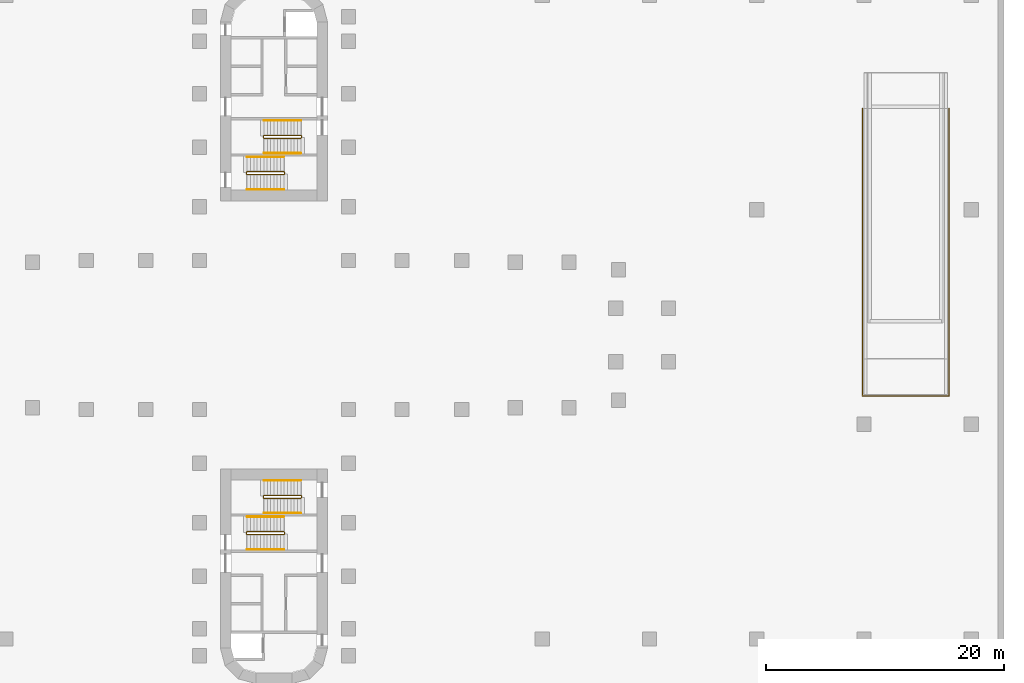
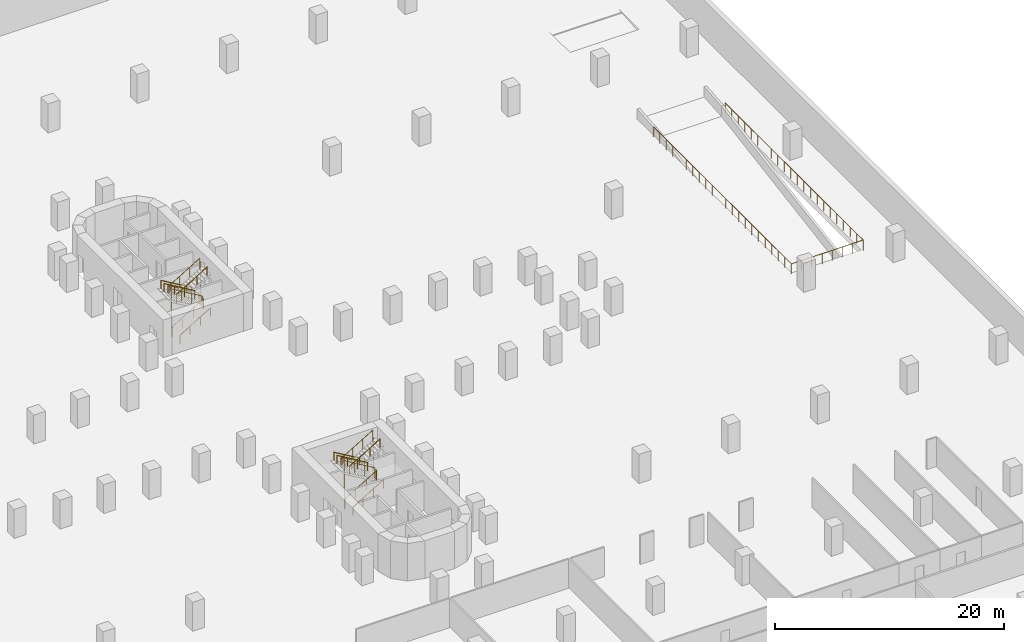
# One storey, part 11 of 11: 13 railings.
"""IFC4 building model written with IfcOpenShell, lengths in metres."""

import ifcopenshell
import ifcopenshell.guid

model = None  # the IFC model being written
_history = None  # IfcOwnerHistory: only IFC2X3 demands one
_inside = {}  # id of a spatial element -> (the spatial element, [elements in it])
_under = {}  # id of a project, library or spatial element -> (it, [spatial elements below it])
_declared = {}  # id of a project -> (the project, [libraries it declares])
_typed = {}  # id of a type object -> (the type object, [elements of that type])
_made_of = {}  # id of a material, layer set ... -> (it, [elements and type objects made of it])


def new_model(schema):
    """Start an empty IFC model of exactly this schema.

    Asked for "IFC4X3", IfcOpenShell would pick the latest addendum, in which some entities
    have other attributes; the version numbers below select the first issue.
    IFC2X3 requires an IfcOwnerHistory on every rooted entity: one is made here for all.
    """
    global model, _history
    if schema == "IFC4X3":
        model = ifcopenshell.file(schema_version=(4, 3, 0, 0))
    else:
        model = ifcopenshell.file(schema=schema)
    _inside.clear()
    _under.clear()
    _declared.clear()
    _typed.clear()
    _made_of.clear()
    _history = None
    if model.schema == "IFC2X3":
        org = make("IfcOrganization", Name="unknown")
        user = make(
            "IfcPersonAndOrganization",
            ThePerson=make("IfcPerson", FamilyName="unknown"),
            TheOrganization=org,
        )
        app = make(
            "IfcApplication",
            ApplicationDeveloper=org,
            Version="unknown",
            ApplicationFullName="unknown",
            ApplicationIdentifier="unknown",
        )
        _history = make(
            "IfcOwnerHistory",
            OwningUser=user,
            OwningApplication=app,
            ChangeAction="ADDED",
            CreationDate=0,
        )
    return model


def make(cls, **values):
    """One entity of the class cls with the attributes given. An attribute that is None is left unset."""
    return model.create_entity(
        cls, **{name: value for name, value in values.items() if value is not None}
    )


def rooted(cls, **values):
    """An entity with a GlobalId (a new one), such as an element, a storey or a relation."""
    return make(cls, GlobalId=ifcopenshell.guid.new(), OwnerHistory=_history, **values)


def si_unit(unit_type, name, prefix=None):
    """IfcSIUnit, for example si_unit("LENGTHUNIT", "METRE", prefix="MILLI")."""
    return make("IfcSIUnit", UnitType=unit_type, Prefix=prefix, Name=name)


def assignment(units):
    """IfcUnitAssignment: the units of a project."""
    return None if units is None else make("IfcUnitAssignment", Units=units)


def point(xyz):
    """IfcCartesianPoint."""
    return None if xyz is None else make("IfcCartesianPoint", Coordinates=xyz)


def direction(xyz):
    """IfcDirection."""
    return None if xyz is None else make("IfcDirection", DirectionRatios=xyz)


def frame(location, z_axis=None, x_axis=None):
    """IfcAxis2Placement3D, a coordinate frame: its origin and axes. An axis left out is left unset."""
    return make(
        "IfcAxis2Placement3D",
        Location=point(location),
        Axis=direction(z_axis),
        RefDirection=direction(x_axis),
    )


def frame_2d(location, x_axis=None):
    """IfcAxis2Placement2D, a coordinate frame in the plane: its origin and x axis."""
    return make(
        "IfcAxis2Placement2D", Location=point(location), RefDirection=direction(x_axis)
    )


def origin():
    """The frame at (0, 0, 0) with its axes left unset."""
    return frame((0.0, 0.0, 0.0))


def origin_2d():
    """The frame at (0, 0) in the plane with its x axis left unset."""
    return frame_2d((0.0, 0.0))


def place(relative_to, where):
    """IfcLocalPlacement: puts the frame where relative to a parent placement (None: the world)."""
    return make(
        "IfcLocalPlacement", PlacementRelTo=relative_to, RelativePlacement=where
    )


def context(
    kind, dimensions, precision=None, world=None, true_north=None, identifier=None
):
    """IfcGeometricRepresentationContext, for example the 3D "Model" context."""
    return make(
        "IfcGeometricRepresentationContext",
        ContextIdentifier=identifier,
        ContextType=kind,
        CoordinateSpaceDimension=dimensions,
        Precision=precision,
        WorldCoordinateSystem=world,
        TrueNorth=true_north,
    )


def subcontext(parent, identifier, kind, view, scale=None):
    """IfcGeometricRepresentationSubContext, for example "Body" below "Model"."""
    return make(
        "IfcGeometricRepresentationSubContext",
        ContextIdentifier=identifier,
        ContextType=kind,
        ParentContext=parent,
        TargetScale=scale,
        TargetView=view,
    )


def project(units=None, contexts=None):
    """IfcProject with its units and contexts."""
    return rooted(
        "IfcProject",
        Name="project",
        RepresentationContexts=contexts,
        UnitsInContext=assignment(units),
    )


def spatial(cls, under=None, at=None, **own):
    """A site, building, storey or space (cls), placed at a placement, below another one or the project."""
    s = rooted(cls, ObjectPlacement=at, **own)
    if under is not None:
        _under.setdefault(under.id(), (under, []))[1].append(s)
    return s


def profile(cls, at=None, kind="AREA", **sizes):
    """A parametric profile (cls). Its sizes go by their IFC names, for example OverallWidth=200.0."""
    return make(cls, ProfileType=kind, Position=at, **sizes)


def circle(**sizes):
    """IfcCircleProfileDef."""
    return profile("IfcCircleProfileDef", **sizes)


def extrude(swept, where, along, depth):
    """IfcExtrudedAreaSolid: the profile swept, set in the frame where, extruded along a direction by depth."""
    return make(
        "IfcExtrudedAreaSolid",
        SweptArea=swept,
        Position=where,
        ExtrudedDirection=direction(along),
        Depth=depth,
    )


def shape(context_of_items, identifier, shape_type, items):
    """IfcShapeRepresentation: the items that make up one representation, for example the "Body"."""
    return make(
        "IfcShapeRepresentation",
        ContextOfItems=context_of_items,
        RepresentationIdentifier=identifier,
        RepresentationType=shape_type,
        Items=items,
    )


def material(Name=None, Category=None):
    """IfcMaterial."""
    return make("IfcMaterial", Name=Name, Category=Category)


def made_of(thing, what):
    """Note that an element or type object is made of a material, layer set ...; save() writes the relation."""
    if what is not None:
        _made_of.setdefault(what.id(), (what, []))[1].append(thing)
    return thing


def type_object(cls, material=None, **own):
    """A type object (cls), such as IfcWallType, which elements share."""
    return made_of(rooted(cls, **own), material)


def element(
    cls,
    number,
    at=None,
    inside=None,
    cuts=None,
    type_object=None,
    material=None,
    context=None,
    identifier="Body",
    shape_type=None,
    held_by="IfcProductDefinitionShape",
    body=None,
    shapes=None,
    **own,
):
    """One element of the class cls, such as IfcWall. Its Tag is "e" and its number.

    at: its placement. inside: the storey or other place that contains it. cuts: it is an
    opening in that element (IfcRelVoidsElement). A single representation is given by context,
    identifier, shape_type and body (its items); several are given by shapes. held_by: the class
    of the entity that holds the representations. save() writes the other relations.
    """
    e = rooted(cls, Tag="e%d" % number, ObjectPlacement=at, **own)
    if body is not None:
        shapes = [shape(context, identifier, shape_type, body)]
    if shapes is not None:
        e.Representation = make(held_by, Representations=shapes)
    if inside is not None:
        _inside.setdefault(inside.id(), (inside, []))[1].append(e)
    if cuts is not None:
        rooted(
            "IfcRelVoidsElement", RelatingBuildingElement=cuts, RelatedOpeningElement=e
        )
    if type_object is not None:
        _typed.setdefault(type_object.id(), (type_object, []))[1].append(e)
    return made_of(e, material)


def aggregate(whole, parts):
    """IfcRelAggregates: a whole, such as a stair, and the parts it consists of."""
    return rooted("IfcRelAggregates", RelatingObject=whole, RelatedObjects=parts)


def save(model, path):
    """Write the relations noted so far, then the file.

    IfcRelAggregates (storeys below a building ...), IfcRelContainedInSpatialStructure (elements
    in a storey), IfcRelDefinesByType, IfcRelAssociatesMaterial and IfcRelDeclares: one each for
    every whole, place, type object, material and project.
    """
    for whole, parts in _under.values():
        aggregate(whole, parts)
    for where, things in _inside.values():
        rooted(
            "IfcRelContainedInSpatialStructure",
            RelatedElements=things,
            RelatingStructure=where,
        )
    for kind, things in _typed.values():
        rooted("IfcRelDefinesByType", RelatedObjects=things, RelatingType=kind)
    for what, things in _made_of.values():
        rooted("IfcRelAssociatesMaterial", RelatedObjects=things, RelatingMaterial=what)
    for by, libraries in _declared.values():
        rooted("IfcRelDeclares", RelatingContext=by, RelatedDefinitions=libraries)
    model.write(path)


model = new_model("IFC4")

# Units and contexts
model_context = context("Model", 3, precision=1e-05, world=origin(), true_north=direction((0.0, 1.0)))
body_context = subcontext(model_context, "Body", "Model", "MODEL_VIEW")
ifc_project = project(units=[si_unit("LENGTHUNIT", "METRE"), si_unit("AREAUNIT", "SQUARE_METRE"), si_unit("VOLUMEUNIT", "CUBIC_METRE"), si_unit("PLANEANGLEUNIT", "RADIAN"), si_unit("MASSUNIT", "GRAM", prefix="KILO")], contexts=[model_context])

# Site, building, storey
site_placement = place(None, origin())
site = spatial("IfcSite", under=ifc_project, at=site_placement, CompositionType="ELEMENT")
building_placement = place(site_placement, origin())
building = spatial("IfcBuilding", under=site, at=building_placement, Name="Zarbagh Exchange Tower", CompositionType="ELEMENT")
storey_placement = place(building_placement, frame((0.0, 0.0, -4.0)))
storey = spatial("IfcBuildingStorey", under=building, at=storey_placement, Name="B1", CompositionType="ELEMENT", Elevation=-4.0)

# Railings
ifc_material_1 = material(Name="Stainless steel", Category="steel")
railing_type_1 = type_object("IfcRailingType", Name="Stair guard 1100 mm", PredefinedType="GUARDRAIL", material=ifc_material_1)
railing_1_placement = place(storey_placement, frame((-0.830078125, 16.5, 2.166748046875)))
element("IfcRailing", 1, at=railing_1_placement, inside=storey, type_object=railing_type_1, Name="ST1 stair guard 1", PredefinedType="GUARDRAIL", context=body_context, shape_type="SweptSolid", body=[
    extrude(circle(Radius=0.02392578125, at=origin_2d()), frame((0.0, 0.0, 1.076171875), z_axis=(0.859308565015, 0.0, 0.511457515432), x_axis=(0.0, 1.0, 0.0)), (0.0, 0.0, 1.0), 3.58447265625),
    extrude(circle(Radius=0.02392578125, at=origin_2d()), frame((3.080078125, 0.0, 2.9091796875), z_axis=(0.012510248638, 0.012510248638, -0.99984348143), x_axis=(-0.707106781187, 0.707106781187, 0.0)), (0.0, 0.0, 1.0), 4.000732421875),
    extrude(circle(Radius=0.02392578125, at=origin_2d()), frame((3.130126953125, 0.050048828125, -1.0908203125), z_axis=(0.0, 1.0, 0.0), x_axis=(-1.0, 0.0, 0.0)), (0.0, 0.0, 1.0), 0.14990234375),
    extrude(circle(Radius=0.02392578125, at=origin_2d()), frame((3.130126953125, 0.199951171875, -1.0908203125), z_axis=(-0.27628659633, 0.27628659633, 0.920506074601), x_axis=(-0.707106781187, -0.707106781187, 0.0)), (0.0, 0.0, 1.0), 0.18115234375),
    extrude(circle(Radius=0.02392578125, at=origin_2d()), frame((3.080078125, 0.25, -0.923828125), z_axis=(-0.859308565015, 0.0, 0.511457515432), x_axis=(0.0, -1.0, 0.0)), (0.0, 0.0, 1.0), 3.58447265625),
    extrude(circle(Radius=0.02392578125, at=origin_2d()), frame((0.0, 0.25, 0.9091796875), z_axis=(-0.705375805398, -0.708833529934, 0.0), x_axis=(0.708833529934, -0.705375805398, 0.0)), (0.0, 0.0, 1.0), 0.070556640625),
    extrude(circle(Radius=0.02392578125, at=origin_2d()), frame((-0.0498046875, 0.199951171875, 0.9091796875), z_axis=(0.0, -1.0, 0.0), x_axis=(1.0, 0.0, 0.0)), (0.0, 0.0, 1.0), 0.14990234375),
    extrude(circle(Radius=0.02099609375, at=origin_2d()), origin(), (0.0, 0.0, 1.0), 1.052001953125),
    extrude(circle(Radius=0.02099609375, at=origin_2d()), frame((1.026611328125, 0.0, 0.611083984375)), (0.0, 0.0, 1.0), 1.052001953125),
    extrude(circle(Radius=0.02099609375, at=origin_2d()), frame((2.053466796875, 0.0, 1.22216796875)), (0.0, 0.0, 1.0), 1.052001953125),
    extrude(circle(Radius=0.02099609375, at=origin_2d()), frame((3.080078125, 0.0, 1.833251953125)), (0.0, 0.0, 1.0), 1.052001953125),
    extrude(circle(Radius=0.02099609375, at=origin_2d()), frame((3.092529296875, 0.012451171875, 0.833251953125)), (0.0, 0.0, 1.0), 1.052001953125),
    extrude(circle(Radius=0.02099609375, at=origin_2d()), frame((3.10498046875, 0.02490234375, -0.166748046875)), (0.0, 0.0, 1.0), 1.052001953125),
    extrude(circle(Radius=0.02099609375, at=origin_2d()), frame((3.11767578125, 0.03759765625, -1.166748046875)), (0.0, 0.0, 1.0), 1.052001953125),
    extrude(circle(Radius=0.02099609375, at=origin_2d()), frame((3.130126953125, 0.050048828125, -2.166748046875)), (0.0, 0.0, 1.0), 1.052001953125),
    extrude(circle(Radius=0.02099609375, at=origin_2d()), frame((3.130126953125, 0.199951171875, -2.166748046875)), (0.0, 0.0, 1.0), 1.052001953125),
    extrude(circle(Radius=0.02099609375, at=origin_2d()), frame((3.080078125, 0.25, -2.0)), (0.0, 0.0, 1.0), 1.052001953125),
    extrude(circle(Radius=0.02099609375, at=origin_2d()), frame((2.053466796875, 0.25, -1.388916015625)), (0.0, 0.0, 1.0), 1.052001953125),
    extrude(circle(Radius=0.02099609375, at=origin_2d()), frame((1.026611328125, 0.25, -0.77783203125)), (0.0, 0.0, 1.0), 1.052001953125),
    extrude(circle(Radius=0.02099609375, at=origin_2d()), frame((0.0, 0.25, -0.166748046875)), (0.0, 0.0, 1.0), 1.052001953125),
    extrude(circle(Radius=0.02099609375, at=origin_2d()), frame((-0.0498046875, 0.199951171875, -0.166748046875)), (0.0, 0.0, 1.0), 1.052001953125),
    extrude(circle(Radius=0.02099609375, at=origin_2d()), frame((-0.0498046875, 0.050048828125, -0.166748046875)), (0.0, 0.0, 1.0), 1.052001953125),
])
railing_2_placement = place(storey_placement, frame((0.8798828125, 13.5, 2.0)))
element("IfcRailing", 2, at=railing_2_placement, inside=storey, type_object=railing_type_1, Name="ST2 stair guard 1", PredefinedType="GUARDRAIL", context=body_context, shape_type="SweptSolid", body=[
    extrude(circle(Radius=0.02392578125, at=origin_2d()), frame((0.0, 0.0, 1.076171875), z_axis=(0.0, 1.0, 0.0), x_axis=(-1.0, 0.0, 0.0)), (0.0, 0.0, 1.0), 0.14990234375),
    extrude(circle(Radius=0.02392578125, at=origin_2d()), frame((0.0, 0.14990234375, 1.076171875), z_axis=(-0.275041040955, 0.276389281352, 0.920848191041), x_axis=(-0.708833529934, -0.705375805398, 0.0)), (0.0, 0.0, 1.0), 0.18115234375),
    extrude(circle(Radius=0.02392578125, at=origin_2d()), frame((-0.0498046875, 0.199951171875, 1.24267578125), z_axis=(-0.859308565015, 0.0, 0.511457515432), x_axis=(0.0, -1.0, 0.0)), (0.0, 0.0, 1.0), 3.58447265625),
    extrude(circle(Radius=0.02392578125, at=origin_2d()), frame((-3.1298828125, 0.199951171875, 3.076171875), z_axis=(-0.012510248638, -0.012510248638, -0.99984348143), x_axis=(0.707106781187, -0.707106781187, 0.0)), (0.0, 0.0, 1.0), 4.000732421875),
    extrude(circle(Radius=0.02392578125, at=origin_2d()), frame((-3.179931640625, 0.14990234375, -0.923828125), z_axis=(0.0, -1.0, 0.0), x_axis=(1.0, 0.0, 0.0)), (0.0, 0.0, 1.0), 0.14990234375),
    extrude(circle(Radius=0.02392578125, at=origin_2d()), frame((-3.179931640625, 0.0, -0.923828125), z_axis=(0.27628659633, -0.27628659633, 0.920506074601), x_axis=(0.707106781187, 0.707106781187, 0.0)), (0.0, 0.0, 1.0), 0.18115234375),
    extrude(circle(Radius=0.02392578125, at=origin_2d()), frame((-3.1298828125, -0.050048828125, -0.75732421875), z_axis=(0.859308565015, 0.0, 0.511457515432), x_axis=(0.0, 1.0, 0.0)), (0.0, 0.0, 1.0), 3.58447265625),
    extrude(circle(Radius=0.02099609375, at=origin_2d()), origin(), (0.0, 0.0, 1.0), 1.052001953125),
    extrude(circle(Radius=0.02099609375, at=origin_2d()), frame((0.0, 0.14990234375, 0.0)), (0.0, 0.0, 1.0), 1.052001953125),
    extrude(circle(Radius=0.02099609375, at=origin_2d()), frame((-0.0498046875, 0.199951171875, 0.166748046875)), (0.0, 0.0, 1.0), 1.052001953125),
    extrude(circle(Radius=0.02099609375, at=origin_2d()), frame((-1.076416015625, 0.199951171875, 0.77783203125)), (0.0, 0.0, 1.0), 1.052001953125),
    extrude(circle(Radius=0.02099609375, at=origin_2d()), frame((-2.103271484375, 0.199951171875, 1.388916015625)), (0.0, 0.0, 1.0), 1.052001953125),
    extrude(circle(Radius=0.02099609375, at=origin_2d()), frame((-3.1298828125, 0.199951171875, 2.0)), (0.0, 0.0, 1.0), 1.052001953125),
    extrude(circle(Radius=0.02099609375, at=origin_2d()), frame((-3.142333984375, 0.1875, 1.0)), (0.0, 0.0, 1.0), 1.052001953125),
    extrude(circle(Radius=0.02099609375, at=origin_2d()), frame((-3.15478515625, 0.1748046875, 0.0)), (0.0, 0.0, 1.0), 1.052001953125),
    extrude(circle(Radius=0.02099609375, at=origin_2d()), frame((-3.16748046875, 0.162353515625, -1.0)), (0.0, 0.0, 1.0), 1.052001953125),
    extrude(circle(Radius=0.02099609375, at=origin_2d()), frame((-3.179931640625, 0.14990234375, -2.0)), (0.0, 0.0, 1.0), 1.052001953125),
    extrude(circle(Radius=0.02099609375, at=origin_2d()), frame((-3.179931640625, 0.0, -2.0)), (0.0, 0.0, 1.0), 1.052001953125),
    extrude(circle(Radius=0.02099609375, at=origin_2d()), frame((-3.1298828125, -0.050048828125, -1.833251953125)), (0.0, 0.0, 1.0), 1.052001953125),
    extrude(circle(Radius=0.02099609375, at=origin_2d()), frame((-2.103271484375, -0.050048828125, -1.22216796875)), (0.0, 0.0, 1.0), 1.052001953125),
    extrude(circle(Radius=0.02099609375, at=origin_2d()), frame((-1.076416015625, -0.050048828125, -0.611083984375)), (0.0, 0.0, 1.0), 1.052001953125),
    extrude(circle(Radius=0.02099609375, at=origin_2d()), frame((-0.0498046875, -0.050048828125, 0.0)), (0.0, 0.0, 1.0), 1.052001953125),
])
railing_3_placement = place(storey_placement, frame((0.830078125, -16.5, 2.166748046875)))
element("IfcRailing", 3, at=railing_3_placement, inside=storey, type_object=railing_type_1, Name="ST3 stair guard 1", PredefinedType="GUARDRAIL", context=body_context, shape_type="SweptSolid", body=[
    extrude(circle(Radius=0.02392578125, at=origin_2d()), frame((0.0, 0.0, 1.076171875), z_axis=(-0.859308565015, 0.0, 0.511457515432), x_axis=(0.0, -1.0, 0.0)), (0.0, 0.0, 1.0), 3.58447265625),
    extrude(circle(Radius=0.02392578125, at=origin_2d()), frame((-3.080078125, 0.0, 2.9091796875), z_axis=(-0.012510248638, -0.012510248638, -0.99984348143), x_axis=(0.707106781187, -0.707106781187, 0.0)), (0.0, 0.0, 1.0), 4.000732421875),
    extrude(circle(Radius=0.02392578125, at=origin_2d()), frame((-3.130126953125, -0.050048828125, -1.0908203125), z_axis=(0.0, -1.0, 0.0), x_axis=(1.0, 0.0, 0.0)), (0.0, 0.0, 1.0), 0.14990234375),
    extrude(circle(Radius=0.02392578125, at=origin_2d()), frame((-3.130126953125, -0.199951171875, -1.0908203125), z_axis=(0.27628659633, -0.27628659633, 0.920506074601), x_axis=(0.707106781187, 0.707106781187, 0.0)), (0.0, 0.0, 1.0), 0.18115234375),
    extrude(circle(Radius=0.02392578125, at=origin_2d()), frame((-3.080078125, -0.25, -0.923828125), z_axis=(0.859308565015, 0.0, 0.511457515432), x_axis=(0.0, 1.0, 0.0)), (0.0, 0.0, 1.0), 3.58447265625),
    extrude(circle(Radius=0.02392578125, at=origin_2d()), frame((0.0, -0.25, 0.9091796875), z_axis=(0.705375805398, 0.708833529934, 0.0), x_axis=(-0.708833529934, 0.705375805398, 0.0)), (0.0, 0.0, 1.0), 0.070556640625),
    extrude(circle(Radius=0.02392578125, at=origin_2d()), frame((0.0498046875, -0.199951171875, 0.9091796875), z_axis=(0.0, 1.0, 0.0), x_axis=(-1.0, 0.0, 0.0)), (0.0, 0.0, 1.0), 0.14990234375),
    extrude(circle(Radius=0.02099609375, at=origin_2d()), origin(), (0.0, 0.0, 1.0), 1.052001953125),
    extrude(circle(Radius=0.02099609375, at=origin_2d()), frame((-1.026611328125, 0.0, 0.611083984375)), (0.0, 0.0, 1.0), 1.052001953125),
    extrude(circle(Radius=0.02099609375, at=origin_2d()), frame((-2.053466796875, 0.0, 1.22216796875)), (0.0, 0.0, 1.0), 1.052001953125),
    extrude(circle(Radius=0.02099609375, at=origin_2d()), frame((-3.080078125, 0.0, 1.833251953125)), (0.0, 0.0, 1.0), 1.052001953125),
    extrude(circle(Radius=0.02099609375, at=origin_2d()), frame((-3.092529296875, -0.012451171875, 0.833251953125)), (0.0, 0.0, 1.0), 1.052001953125),
    extrude(circle(Radius=0.02099609375, at=origin_2d()), frame((-3.10498046875, -0.02490234375, -0.166748046875)), (0.0, 0.0, 1.0), 1.052001953125),
    extrude(circle(Radius=0.02099609375, at=origin_2d()), frame((-3.11767578125, -0.03759765625, -1.166748046875)), (0.0, 0.0, 1.0), 1.052001953125),
    extrude(circle(Radius=0.02099609375, at=origin_2d()), frame((-3.130126953125, -0.050048828125, -2.166748046875)), (0.0, 0.0, 1.0), 1.052001953125),
    extrude(circle(Radius=0.02099609375, at=origin_2d()), frame((-3.130126953125, -0.199951171875, -2.166748046875)), (0.0, 0.0, 1.0), 1.052001953125),
    extrude(circle(Radius=0.02099609375, at=origin_2d()), frame((-3.080078125, -0.25, -2.0)), (0.0, 0.0, 1.0), 1.052001953125),
    extrude(circle(Radius=0.02099609375, at=origin_2d()), frame((-2.053466796875, -0.25, -1.388916015625)), (0.0, 0.0, 1.0), 1.052001953125),
    extrude(circle(Radius=0.02099609375, at=origin_2d()), frame((-1.026611328125, -0.25, -0.77783203125)), (0.0, 0.0, 1.0), 1.052001953125),
    extrude(circle(Radius=0.02099609375, at=origin_2d()), frame((0.0, -0.25, -0.166748046875)), (0.0, 0.0, 1.0), 1.052001953125),
    extrude(circle(Radius=0.02099609375, at=origin_2d()), frame((0.0498046875, -0.199951171875, -0.166748046875)), (0.0, 0.0, 1.0), 1.052001953125),
    extrude(circle(Radius=0.02099609375, at=origin_2d()), frame((0.0498046875, -0.050048828125, -0.166748046875)), (0.0, 0.0, 1.0), 1.052001953125),
])
railing_4_placement = place(storey_placement, frame((-0.8798828125, -13.5, 2.0)))
element("IfcRailing", 4, at=railing_4_placement, inside=storey, type_object=railing_type_1, Name="ST4 stair guard 1", PredefinedType="GUARDRAIL", context=body_context, shape_type="SweptSolid", body=[
    extrude(circle(Radius=0.02392578125, at=origin_2d()), frame((0.0, 0.0, 1.076171875), z_axis=(0.0, -1.0, 0.0), x_axis=(1.0, 0.0, 0.0)), (0.0, 0.0, 1.0), 0.14990234375),
    extrude(circle(Radius=0.02392578125, at=origin_2d()), frame((0.0, -0.14990234375, 1.076171875), z_axis=(0.275041040955, -0.276389281352, 0.920848191041), x_axis=(0.708833529934, 0.705375805398, 0.0)), (0.0, 0.0, 1.0), 0.18115234375),
    extrude(circle(Radius=0.02392578125, at=origin_2d()), frame((0.0498046875, -0.199951171875, 1.24267578125), z_axis=(0.859308565015, 0.0, 0.511457515432), x_axis=(0.0, 1.0, 0.0)), (0.0, 0.0, 1.0), 3.58447265625),
    extrude(circle(Radius=0.02392578125, at=origin_2d()), frame((3.1298828125, -0.199951171875, 3.076171875), z_axis=(0.012510248638, 0.012510248638, -0.99984348143), x_axis=(-0.707106781187, 0.707106781187, 0.0)), (0.0, 0.0, 1.0), 4.000732421875),
    extrude(circle(Radius=0.02392578125, at=origin_2d()), frame((3.179931640625, -0.14990234375, -0.923828125), z_axis=(0.0, 1.0, 0.0), x_axis=(-1.0, 0.0, 0.0)), (0.0, 0.0, 1.0), 0.14990234375),
    extrude(circle(Radius=0.02392578125, at=origin_2d()), frame((3.179931640625, 0.0, -0.923828125), z_axis=(-0.27628659633, 0.27628659633, 0.920506074601), x_axis=(-0.707106781187, -0.707106781187, 0.0)), (0.0, 0.0, 1.0), 0.18115234375),
    extrude(circle(Radius=0.02392578125, at=origin_2d()), frame((3.1298828125, 0.050048828125, -0.75732421875), z_axis=(-0.859308565015, 0.0, 0.511457515432), x_axis=(0.0, -1.0, 0.0)), (0.0, 0.0, 1.0), 3.58447265625),
    extrude(circle(Radius=0.02099609375, at=origin_2d()), origin(), (0.0, 0.0, 1.0), 1.052001953125),
    extrude(circle(Radius=0.02099609375, at=origin_2d()), frame((0.0, -0.14990234375, 0.0)), (0.0, 0.0, 1.0), 1.052001953125),
    extrude(circle(Radius=0.02099609375, at=origin_2d()), frame((0.0498046875, -0.199951171875, 0.166748046875)), (0.0, 0.0, 1.0), 1.052001953125),
    extrude(circle(Radius=0.02099609375, at=origin_2d()), frame((1.076416015625, -0.199951171875, 0.77783203125)), (0.0, 0.0, 1.0), 1.052001953125),
    extrude(circle(Radius=0.02099609375, at=origin_2d()), frame((2.103271484375, -0.199951171875, 1.388916015625)), (0.0, 0.0, 1.0), 1.052001953125),
    extrude(circle(Radius=0.02099609375, at=origin_2d()), frame((3.1298828125, -0.199951171875, 2.0)), (0.0, 0.0, 1.0), 1.052001953125),
    extrude(circle(Radius=0.02099609375, at=origin_2d()), frame((3.142333984375, -0.1875, 1.0)), (0.0, 0.0, 1.0), 1.052001953125),
    extrude(circle(Radius=0.02099609375, at=origin_2d()), frame((3.15478515625, -0.1748046875, 0.0)), (0.0, 0.0, 1.0), 1.052001953125),
    extrude(circle(Radius=0.02099609375, at=origin_2d()), frame((3.16748046875, -0.162353515625, -1.0)), (0.0, 0.0, 1.0), 1.052001953125),
    extrude(circle(Radius=0.02099609375, at=origin_2d()), frame((3.179931640625, -0.14990234375, -2.0)), (0.0, 0.0, 1.0), 1.052001953125),
    extrude(circle(Radius=0.02099609375, at=origin_2d()), frame((3.179931640625, 0.0, -2.0)), (0.0, 0.0, 1.0), 1.052001953125),
    extrude(circle(Radius=0.02099609375, at=origin_2d()), frame((3.1298828125, 0.050048828125, -1.833251953125)), (0.0, 0.0, 1.0), 1.052001953125),
    extrude(circle(Radius=0.02099609375, at=origin_2d()), frame((2.103271484375, 0.050048828125, -1.22216796875)), (0.0, 0.0, 1.0), 1.052001953125),
    extrude(circle(Radius=0.02099609375, at=origin_2d()), frame((1.076416015625, 0.050048828125, -0.611083984375)), (0.0, 0.0, 1.0), 1.052001953125),
    extrude(circle(Radius=0.02099609375, at=origin_2d()), frame((0.0498046875, 0.050048828125, 0.0)), (0.0, 0.0, 1.0), 1.052001953125),
])
railing_type_2 = type_object("IfcRailingType", Name="Stair handrail 900 mm", PredefinedType="HANDRAIL", material=ifc_material_1)
railing_5_placement = place(storey_placement, frame((2.25, 18.0, 0.166748046875)))
element("IfcRailing", 5, at=railing_5_placement, inside=storey, type_object=railing_type_2, Name="ST1 stair handrail 1", PredefinedType="HANDRAIL", context=body_context, shape_type="SweptSolid", body=[
    extrude(circle(Radius=0.02392578125, at=origin_2d()), frame((0.0, 0.0, 0.8759765625), z_axis=(-0.859308565015, 0.0, 0.511457515432), x_axis=(0.0, -1.0, 0.0)), (0.0, 0.0, 1.0), 3.58447265625),
    extrude(circle(Radius=0.02099609375, at=origin_2d()), origin(), (0.0, 0.0, 1.0), 0.851806640625),
    extrude(circle(Radius=0.02099609375, at=origin_2d()), frame((-1.026611328125, 0.0, 0.611083984375)), (0.0, 0.0, 1.0), 0.851806640625),
    extrude(circle(Radius=0.02099609375, at=origin_2d()), frame((-2.053466796875, 0.0, 1.22216796875)), (0.0, 0.0, 1.0), 0.851806640625),
    extrude(circle(Radius=0.02099609375, at=origin_2d()), frame((-3.080078125, 0.0, 1.833251953125)), (0.0, 0.0, 1.0), 0.851806640625),
])
for number, where, name in (
    (6, (-0.830078125, 15.25, 2.166748046875), "ST1 stair handrail 2"),
    (7, (-2.25, 12.199951171875, 0.166748046875), "ST2 stair handrail 1"),
):
    element("IfcRailing", number, at=place(storey_placement, frame(where)), inside=storey, type_object=railing_type_2, Name=name, PredefinedType="HANDRAIL", context=body_context, shape_type="SweptSolid", body=[
        extrude(circle(Radius=0.02392578125, at=origin_2d()), frame((0.0, 0.0, 0.8759765625), z_axis=(0.859308565015, 0.0, 0.511457515432), x_axis=(0.0, 1.0, 0.0)), (0.0, 0.0, 1.0), 3.58447265625),
        extrude(circle(Radius=0.02099609375, at=origin_2d()), origin(), (0.0, 0.0, 1.0), 0.851806640625),
        extrude(circle(Radius=0.02099609375, at=origin_2d()), frame((1.026611328125, 0.0, 0.611083984375)), (0.0, 0.0, 1.0), 0.851806640625),
        extrude(circle(Radius=0.02099609375, at=origin_2d()), frame((2.053466796875, 0.0, 1.22216796875)), (0.0, 0.0, 1.0), 0.851806640625),
        extrude(circle(Radius=0.02099609375, at=origin_2d()), frame((3.080078125, 0.0, 1.833251953125)), (0.0, 0.0, 1.0), 0.851806640625),
    ])
railing_6_placement = place(storey_placement, frame((0.830078125, 14.949951171875, 2.166748046875)))
element("IfcRailing", 8, at=railing_6_placement, inside=storey, type_object=railing_type_2, Name="ST2 stair handrail 2", PredefinedType="HANDRAIL", context=body_context, shape_type="SweptSolid", body=[
    extrude(circle(Radius=0.02392578125, at=origin_2d()), frame((0.0, 0.0, 0.8759765625), z_axis=(-0.859308565015, 0.0, 0.511457515432), x_axis=(0.0, -1.0, 0.0)), (0.0, 0.0, 1.0), 3.58447265625),
    extrude(circle(Radius=0.02099609375, at=origin_2d()), origin(), (0.0, 0.0, 1.0), 0.851806640625),
    extrude(circle(Radius=0.02099609375, at=origin_2d()), frame((-1.026611328125, 0.0, 0.611083984375)), (0.0, 0.0, 1.0), 0.851806640625),
    extrude(circle(Radius=0.02099609375, at=origin_2d()), frame((-2.053466796875, 0.0, 1.22216796875)), (0.0, 0.0, 1.0), 0.851806640625),
    extrude(circle(Radius=0.02099609375, at=origin_2d()), frame((-3.080078125, 0.0, 1.833251953125)), (0.0, 0.0, 1.0), 0.851806640625),
])
railing_7_placement = place(storey_placement, frame((-2.25, -18.0, 0.166748046875)))
element("IfcRailing", 9, at=railing_7_placement, inside=storey, type_object=railing_type_2, Name="ST3 stair handrail 1", PredefinedType="HANDRAIL", context=body_context, shape_type="SweptSolid", body=[
    extrude(circle(Radius=0.02392578125, at=origin_2d()), frame((0.0, 0.0, 0.8759765625), z_axis=(0.859308565015, 0.0, 0.511457515432), x_axis=(0.0, 1.0, 0.0)), (0.0, 0.0, 1.0), 3.58447265625),
    extrude(circle(Radius=0.02099609375, at=origin_2d()), origin(), (0.0, 0.0, 1.0), 0.851806640625),
    extrude(circle(Radius=0.02099609375, at=origin_2d()), frame((1.026611328125, 0.0, 0.611083984375)), (0.0, 0.0, 1.0), 0.851806640625),
    extrude(circle(Radius=0.02099609375, at=origin_2d()), frame((2.053466796875, 0.0, 1.22216796875)), (0.0, 0.0, 1.0), 0.851806640625),
    extrude(circle(Radius=0.02099609375, at=origin_2d()), frame((3.080078125, 0.0, 1.833251953125)), (0.0, 0.0, 1.0), 0.851806640625),
])
for number, where, name in (
    (10, (0.830078125, -15.25, 2.166748046875), "ST3 stair handrail 2"),
    (11, (2.25, -12.199951171875, 0.166748046875), "ST4 stair handrail 1"),
):
    element("IfcRailing", number, at=place(storey_placement, frame(where)), inside=storey, type_object=railing_type_2, Name=name, PredefinedType="HANDRAIL", context=body_context, shape_type="SweptSolid", body=[
        extrude(circle(Radius=0.02392578125, at=origin_2d()), frame((0.0, 0.0, 0.8759765625), z_axis=(-0.859308565015, 0.0, 0.511457515432), x_axis=(0.0, -1.0, 0.0)), (0.0, 0.0, 1.0), 3.58447265625),
        extrude(circle(Radius=0.02099609375, at=origin_2d()), origin(), (0.0, 0.0, 1.0), 0.851806640625),
        extrude(circle(Radius=0.02099609375, at=origin_2d()), frame((-1.026611328125, 0.0, 0.611083984375)), (0.0, 0.0, 1.0), 0.851806640625),
        extrude(circle(Radius=0.02099609375, at=origin_2d()), frame((-2.053466796875, 0.0, 1.22216796875)), (0.0, 0.0, 1.0), 0.851806640625),
        extrude(circle(Radius=0.02099609375, at=origin_2d()), frame((-3.080078125, 0.0, 1.833251953125)), (0.0, 0.0, 1.0), 0.851806640625),
    ])
railing_8_placement = place(storey_placement, frame((-0.830078125, -14.949951171875, 2.166748046875)))
element("IfcRailing", 12, at=railing_8_placement, inside=storey, type_object=railing_type_2, Name="ST4 stair handrail 2", PredefinedType="HANDRAIL", context=body_context, shape_type="SweptSolid", body=[
    extrude(circle(Radius=0.02392578125, at=origin_2d()), frame((0.0, 0.0, 0.8759765625), z_axis=(0.859308565015, 0.0, 0.511457515432), x_axis=(0.0, 1.0, 0.0)), (0.0, 0.0, 1.0), 3.58447265625),
    extrude(circle(Radius=0.02099609375, at=origin_2d()), origin(), (0.0, 0.0, 1.0), 0.851806640625),
    extrude(circle(Radius=0.02099609375, at=origin_2d()), frame((1.026611328125, 0.0, 0.611083984375)), (0.0, 0.0, 1.0), 0.851806640625),
    extrude(circle(Radius=0.02099609375, at=origin_2d()), frame((2.053466796875, 0.0, 1.22216796875)), (0.0, 0.0, 1.0), 0.851806640625),
    extrude(circle(Radius=0.02099609375, at=origin_2d()), frame((3.080078125, 0.0, 1.833251953125)), (0.0, 0.0, 1.0), 0.851806640625),
])
ifc_material_2 = material(Name="Stainless steel balustrade", Category="steel")
railing_type_3 = type_object("IfcRailingType", Name="Void-edge guard 1100", PredefinedType="GUARDRAIL", material=ifc_material_2)
railing_9_placement = place(storey_placement, frame((49.3798828125, 19.0, 0.0)))
element("IfcRailing", 13, at=railing_9_placement, inside=storey, type_object=railing_type_3, Name="GUARD R2-WELL", PredefinedType="GUARDRAIL", context=body_context, shape_type="SweptSolid", body=[
    extrude(circle(Radius=0.02490234375, at=origin_2d()), frame((0.0, 0.0, 1.0751953125), z_axis=(0.0, -1.0, 0.0), x_axis=(1.0, 0.0, 0.0)), (0.0, 0.0, 1.0), 24.1201171875),
    extrude(circle(Radius=0.02490234375, at=origin_2d()), frame((0.0, -24.1201171875, 1.0751953125), z_axis=(1.0, 0.0, 0.0), x_axis=(0.0, 1.0, 0.0)), (0.0, 0.0, 1.0), 7.240234375),
    extrude(circle(Radius=0.02490234375, at=origin_2d()), frame((7.240234375, -24.1201171875, 1.0751953125), z_axis=(0.0, 1.0, 0.0), x_axis=(-1.0, 0.0, 0.0)), (0.0, 0.0, 1.0), 24.1201171875),
    extrude(circle(Radius=0.02001953125, at=origin_2d()), origin(), (0.0, 0.0, 1.0), 1.050048828125),
    extrude(circle(Radius=0.02001953125, at=origin_2d()), frame((0.0, -1.148681640625, 0.0)), (0.0, 0.0, 1.0), 1.050048828125),
    extrude(circle(Radius=0.02001953125, at=origin_2d()), frame((0.0, -2.297119140625, 0.0)), (0.0, 0.0, 1.0), 1.050048828125),
    extrude(circle(Radius=0.02001953125, at=origin_2d()), frame((0.0, -3.44580078125, 0.0)), (0.0, 0.0, 1.0), 1.050048828125),
    extrude(circle(Radius=0.02001953125, at=origin_2d()), frame((0.0, -4.59423828125, 0.0)), (0.0, 0.0, 1.0), 1.050048828125),
    extrude(circle(Radius=0.02001953125, at=origin_2d()), frame((0.0, -5.742919921875, 0.0)), (0.0, 0.0, 1.0), 1.050048828125),
    extrude(circle(Radius=0.02001953125, at=origin_2d()), frame((0.0, -6.891357421875, 0.0)), (0.0, 0.0, 1.0), 1.050048828125),
    extrude(circle(Radius=0.02001953125, at=origin_2d()), frame((0.0, -8.0400390625, 0.0)), (0.0, 0.0, 1.0), 1.050048828125),
    extrude(circle(Radius=0.02001953125, at=origin_2d()), frame((0.0, -9.188720703125, 0.0)), (0.0, 0.0, 1.0), 1.050048828125),
    extrude(circle(Radius=0.02001953125, at=origin_2d()), frame((0.0, -10.337158203125, 0.0)), (0.0, 0.0, 1.0), 1.050048828125),
    extrude(circle(Radius=0.02001953125, at=origin_2d()), frame((0.0, -11.48583984375, 0.0)), (0.0, 0.0, 1.0), 1.050048828125),
    extrude(circle(Radius=0.02001953125, at=origin_2d()), frame((0.0, -12.63427734375, 0.0)), (0.0, 0.0, 1.0), 1.050048828125),
    extrude(circle(Radius=0.02001953125, at=origin_2d()), frame((0.0, -13.782958984375, 0.0)), (0.0, 0.0, 1.0), 1.050048828125),
    extrude(circle(Radius=0.02001953125, at=origin_2d()), frame((0.0, -14.931396484375, 0.0)), (0.0, 0.0, 1.0), 1.050048828125),
    extrude(circle(Radius=0.02001953125, at=origin_2d()), frame((0.0, -16.080078125, 0.0)), (0.0, 0.0, 1.0), 1.050048828125),
    extrude(circle(Radius=0.02001953125, at=origin_2d()), frame((0.0, -17.228759765625, 0.0)), (0.0, 0.0, 1.0), 1.050048828125),
    extrude(circle(Radius=0.02001953125, at=origin_2d()), frame((0.0, -18.377197265625, 0.0)), (0.0, 0.0, 1.0), 1.050048828125),
    extrude(circle(Radius=0.02001953125, at=origin_2d()), frame((0.0, -19.52587890625, 0.0)), (0.0, 0.0, 1.0), 1.050048828125),
    extrude(circle(Radius=0.02001953125, at=origin_2d()), frame((0.0, -20.67431640625, 0.0)), (0.0, 0.0, 1.0), 1.050048828125),
    extrude(circle(Radius=0.02001953125, at=origin_2d()), frame((0.0, -21.822998046875, 0.0)), (0.0, 0.0, 1.0), 1.050048828125),
    extrude(circle(Radius=0.02001953125, at=origin_2d()), frame((0.0, -22.971435546875, 0.0)), (0.0, 0.0, 1.0), 1.050048828125),
    extrude(circle(Radius=0.02001953125, at=origin_2d()), frame((0.0, -24.1201171875, 0.0)), (0.0, 0.0, 1.0), 1.050048828125),
    extrude(circle(Radius=0.02001953125, at=origin_2d()), frame((1.034423828125, -24.1201171875, 0.0)), (0.0, 0.0, 1.0), 1.050048828125),
    extrude(circle(Radius=0.02001953125, at=origin_2d()), frame((2.068603515625, -24.1201171875, 0.0)), (0.0, 0.0, 1.0), 1.050048828125),
    extrude(circle(Radius=0.02001953125, at=origin_2d()), frame((3.10302734375, -24.1201171875, 0.0)), (0.0, 0.0, 1.0), 1.050048828125),
    extrude(circle(Radius=0.02001953125, at=origin_2d()), frame((4.13720703125, -24.1201171875, 0.0)), (0.0, 0.0, 1.0), 1.050048828125),
    extrude(circle(Radius=0.02001953125, at=origin_2d()), frame((5.171630859375, -24.1201171875, 0.0)), (0.0, 0.0, 1.0), 1.050048828125),
    extrude(circle(Radius=0.02001953125, at=origin_2d()), frame((6.205810546875, -24.1201171875, 0.0)), (0.0, 0.0, 1.0), 1.050048828125),
    extrude(circle(Radius=0.02001953125, at=origin_2d()), frame((7.240234375, -24.1201171875, 0.0)), (0.0, 0.0, 1.0), 1.050048828125),
    extrude(circle(Radius=0.02001953125, at=origin_2d()), frame((7.240234375, -22.971435546875, 0.0)), (0.0, 0.0, 1.0), 1.050048828125),
    extrude(circle(Radius=0.02001953125, at=origin_2d()), frame((7.240234375, -21.822998046875, 0.0)), (0.0, 0.0, 1.0), 1.050048828125),
    extrude(circle(Radius=0.02001953125, at=origin_2d()), frame((7.240234375, -20.67431640625, 0.0)), (0.0, 0.0, 1.0), 1.050048828125),
    extrude(circle(Radius=0.02001953125, at=origin_2d()), frame((7.240234375, -19.52587890625, 0.0)), (0.0, 0.0, 1.0), 1.050048828125),
    extrude(circle(Radius=0.02001953125, at=origin_2d()), frame((7.240234375, -18.377197265625, 0.0)), (0.0, 0.0, 1.0), 1.050048828125),
    extrude(circle(Radius=0.02001953125, at=origin_2d()), frame((7.240234375, -17.228759765625, 0.0)), (0.0, 0.0, 1.0), 1.050048828125),
    extrude(circle(Radius=0.02001953125, at=origin_2d()), frame((7.240234375, -16.080078125, 0.0)), (0.0, 0.0, 1.0), 1.050048828125),
    extrude(circle(Radius=0.02001953125, at=origin_2d()), frame((7.240234375, -14.931396484375, 0.0)), (0.0, 0.0, 1.0), 1.050048828125),
    extrude(circle(Radius=0.02001953125, at=origin_2d()), frame((7.240234375, -13.782958984375, 0.0)), (0.0, 0.0, 1.0), 1.050048828125),
    extrude(circle(Radius=0.02001953125, at=origin_2d()), frame((7.240234375, -12.63427734375, 0.0)), (0.0, 0.0, 1.0), 1.050048828125),
    extrude(circle(Radius=0.02001953125, at=origin_2d()), frame((7.240234375, -11.48583984375, 0.0)), (0.0, 0.0, 1.0), 1.050048828125),
    extrude(circle(Radius=0.02001953125, at=origin_2d()), frame((7.240234375, -10.337158203125, 0.0)), (0.0, 0.0, 1.0), 1.050048828125),
    extrude(circle(Radius=0.02001953125, at=origin_2d()), frame((7.240234375, -9.188720703125, 0.0)), (0.0, 0.0, 1.0), 1.050048828125),
    extrude(circle(Radius=0.02001953125, at=origin_2d()), frame((7.240234375, -8.0400390625, 0.0)), (0.0, 0.0, 1.0), 1.050048828125),
    extrude(circle(Radius=0.02001953125, at=origin_2d()), frame((7.240234375, -6.891357421875, 0.0)), (0.0, 0.0, 1.0), 1.050048828125),
    extrude(circle(Radius=0.02001953125, at=origin_2d()), frame((7.240234375, -5.742919921875, 0.0)), (0.0, 0.0, 1.0), 1.050048828125),
    extrude(circle(Radius=0.02001953125, at=origin_2d()), frame((7.240234375, -4.59423828125, 0.0)), (0.0, 0.0, 1.0), 1.050048828125),
    extrude(circle(Radius=0.02001953125, at=origin_2d()), frame((7.240234375, -3.44580078125, 0.0)), (0.0, 0.0, 1.0), 1.050048828125),
    extrude(circle(Radius=0.02001953125, at=origin_2d()), frame((7.240234375, -2.297119140625, 0.0)), (0.0, 0.0, 1.0), 1.050048828125),
    extrude(circle(Radius=0.02001953125, at=origin_2d()), frame((7.240234375, -1.148681640625, 0.0)), (0.0, 0.0, 1.0), 1.050048828125),
    extrude(circle(Radius=0.02001953125, at=origin_2d()), frame((7.240234375, 0.0, 0.0)), (0.0, 0.0, 1.0), 1.050048828125),
])

save(model, "model.ifc")
